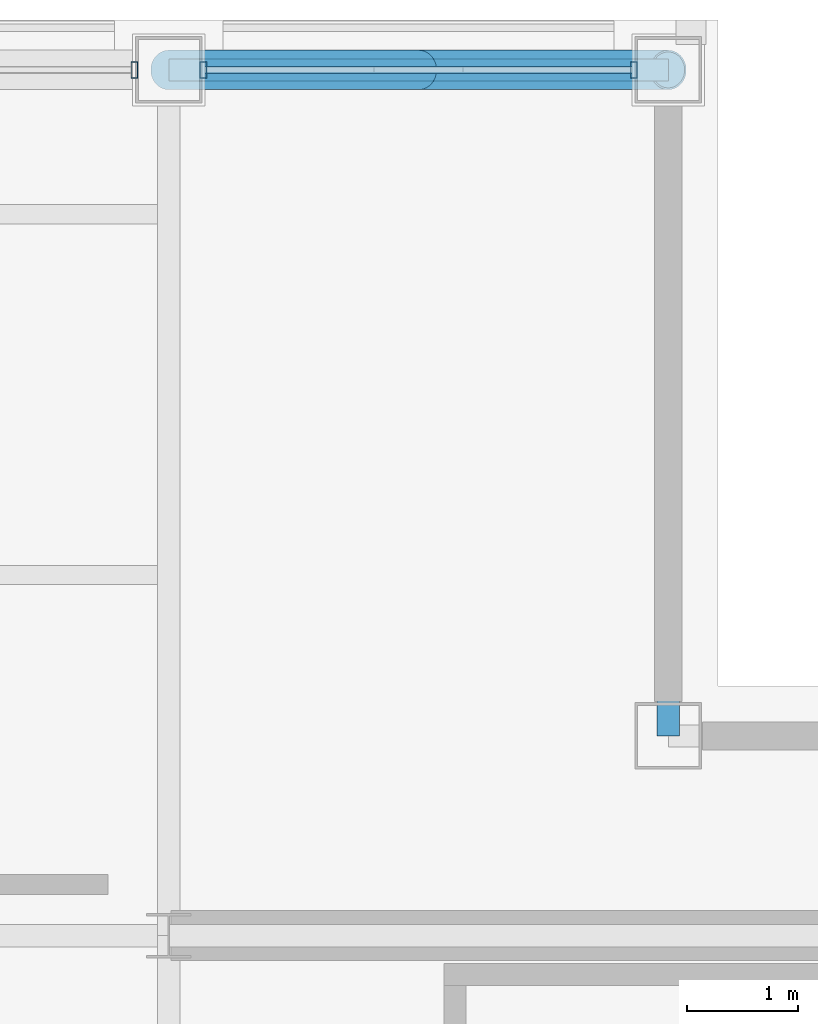
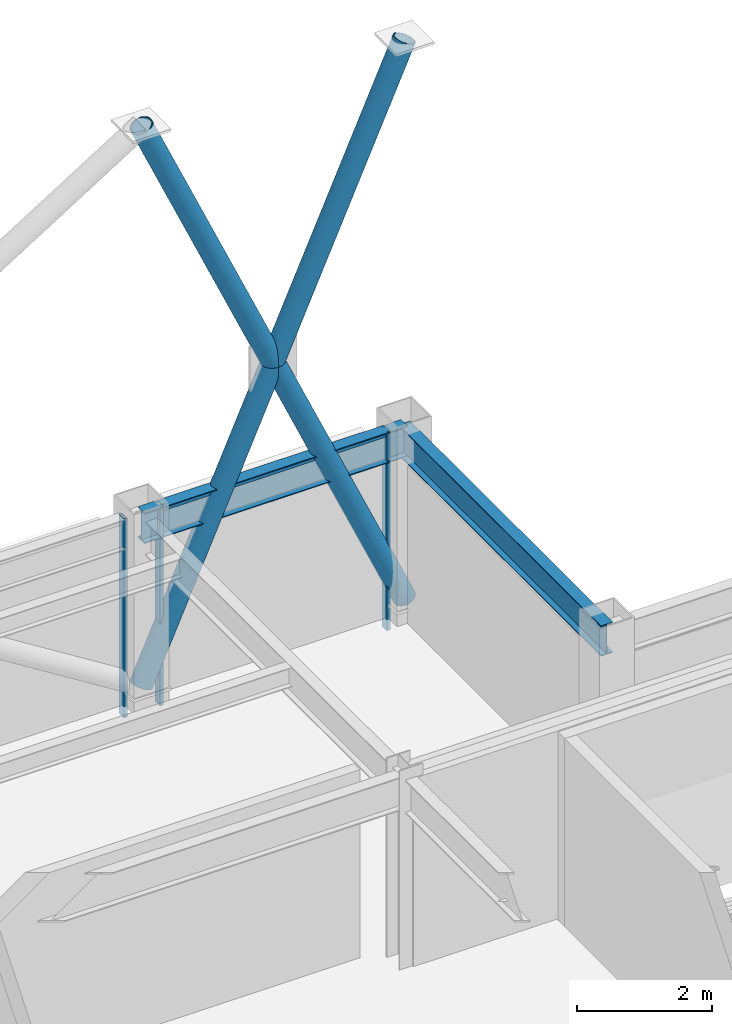
# One storey, part 20 of 27: 7 members, 2 beams, 2 elements without a shape of their own.
"""IFC4 building model written with IfcOpenShell, lengths in metres."""

from ifc_helpers import new_model, si_unit, direction, frame, origin, origin_2d, place, context, subcontext, project, spatial, hollow_rectangle, hollow_circle, i_section, extrude, material, layer, layer_set, material_profile, profile_set, type_object, element, aggregate, save


model = new_model("IFC4")

# Units and contexts
model_context = context("Model", 3, precision=1e-05, world=origin(), true_north=direction((0.0, 1.0)))
body_context = subcontext(model_context, "Body", "Model", "MODEL_VIEW")
ifc_project = project(units=[si_unit("LENGTHUNIT", "METRE"), si_unit("AREAUNIT", "SQUARE_METRE"), si_unit("VOLUMEUNIT", "CUBIC_METRE"), si_unit("PLANEANGLEUNIT", "RADIAN"), si_unit("MASSUNIT", "GRAM", prefix="KILO")], contexts=[model_context])

# Site, building, storey
site_placement = place(None, origin())
site = spatial("IfcSite", under=ifc_project, at=site_placement, CompositionType="ELEMENT")
building_placement = place(site_placement, origin())
building = spatial("IfcBuilding", under=site, at=building_placement, Name="Brelmoor Portico Tower", CompositionType="ELEMENT")
storey_placement = place(building_placement, frame((0.0, 0.0, 258.0)))
storey = spatial("IfcBuildingStorey", under=building, at=storey_placement, Name="L68", CompositionType="ELEMENT", Elevation=258.0)

# Beams
ifc_material_1 = material(Name="Steel Q355B", Category="steel")
ifc_material_profile_1 = material_profile(ifc_material_1, i_section(OverallWidth=0.199951171875, OverallDepth=0.550048828125, WebThickness=0.010009765625, FlangeThickness=0.01611328125, at=origin_2d()), Name="HN 550x200x10x16")
ifc_profile_set_1 = profile_set([ifc_material_profile_1], Name="Steel Q355B")
beam_type = type_object("IfcBeamType", Name="BM-SP-550", PredefinedType="SPANDREL", material=ifc_profile_set_1)
beam_1_placement = place(storey_placement, frame((8.050048828125, 17.550048828125, 3.125), z_axis=(1.0, 0.0, 0.0), x_axis=(0.0, 1.0, 0.0)))
element("IfcBeam", 1, at=beam_1_placement, inside=storey, type_object=beam_type, Name="L68 Perimeter Spandrel Beam SP-10", PredefinedType="SPANDREL", context=body_context, shape_type="SweptSolid", body=[
    extrude(i_section(OverallWidth=0.199951171875, OverallDepth=0.550048828125, WebThickness=0.010009765625, FlangeThickness=0.01611328125, at=origin_2d()), origin(), (0.0, 0.0, 1.0), 4.5),
])
beam_2_placement = place(storey_placement, frame((12.550048828125, 11.550048828125, 3.125), z_axis=(0.0, 1.0, 0.0), x_axis=(-1.0, 0.0, 0.0)))
element("IfcBeam", 2, at=beam_2_placement, inside=storey, type_object=beam_type, Name="L68 Perimeter Spandrel Beam SP-17", PredefinedType="SPANDREL", context=body_context, shape_type="SweptSolid", body=[
    extrude(i_section(OverallWidth=0.199951171875, OverallDepth=0.550048828125, WebThickness=0.010009765625, FlangeThickness=0.01611328125, at=origin_2d()), origin(), (0.0, 0.0, 1.0), 6.0),
])

# Members
ifc_material_profile_2 = material_profile(ifc_material_1, hollow_circle(Radius=0.177978515625, WallThickness=0.01611328125, at=origin_2d()), Name="CHS 356x16")
ifc_profile_set_2 = profile_set([ifc_material_profile_2], Name="Steel Q355B")
member_type_1 = type_object("IfcMemberType", Name="MB-BELT-DIAG2", PredefinedType="BRACE", material=ifc_profile_set_2)
member_1_placement = place(storey_placement, frame((8.050048828125, 17.550048828125, 0.25), z_axis=(0.406974140277, 0.0, 0.913439680081), x_axis=(0.0, 1.0, 0.0)))
element("IfcMember", 3, at=member_1_placement, inside=storey, type_object=member_type_1, Name="L68 Continuous Mega-X Brace 153A", PredefinedType="BRACE", context=body_context, shape_type="SweptSolid", body=[
    extrude(hollow_circle(Radius=0.177978515625, WallThickness=0.01611328125, at=origin_2d()), origin(), (0.0, 0.0, 1.0), 11.05712890625),
])
for number, where, z_axis, x_axis, name in (
    (4, (12.550048828125, 17.550048828125, 0.25), (-0.406974140277, 0.0, 0.913439680081), (0.0, -1.0, 0.0), "L68 Split Mega-X Brace 153B1"),
    (5, (10.300048828125, 17.550048828125, 5.300048828125), (-0.406974140277, 0.0, 0.913439680081), (0.0, -1.0, 0.0), "L68 Split Mega-X Brace 153B2"),
):
    element("IfcMember", number, at=place(storey_placement, frame(where, z_axis=z_axis, x_axis=x_axis)), inside=storey, type_object=member_type_1, Name=name, PredefinedType="BRACE", context=body_context, shape_type="SweptSolid", body=[
        extrude(hollow_circle(Radius=0.177978515625, WallThickness=0.01611328125, at=origin_2d()), origin(), (0.0, 0.0, 1.0), 5.528564453125),
    ])

# Curtain wall, member
ifc_material_2 = material(Name="Anodised Aluminium Alloy 6063-T6", Category="aluminium")
ifc_layer = layer(ifc_material_2, 0.179931640625)
ifc_layer_set = layer_set([ifc_layer], Name="Anodised Aluminium Alloy 6063-T6")
curtain_wall_type = type_object("IfcCurtainWallType", Name="CW-TOWER-Z4-XB", PredefinedType="NOTDEFINED", material=ifc_layer_set)
curtain_wall_1_placement = place(storey_placement, origin())
curtain_wall_1 = element("IfcCurtainWall", 6, at=curtain_wall_1_placement, inside=storey, type_object=curtain_wall_type, Name="L68 Curtain Wall CW-L68-02-2", PredefinedType="NOTDEFINED")
ifc_material_profile_3 = material_profile(ifc_material_2, hollow_rectangle(XDim=0.06005859375, YDim=0.14990234375, WallThickness=0.00390625, at=origin_2d()), Name="ALU MULLION 60x150")
ifc_profile_set_3 = profile_set([ifc_material_profile_3], Name="Anodised Aluminium Alloy 6063-T6")
member_type_2 = type_object("IfcMemberType", Name="MB-CW-MULL-150", PredefinedType="MULLION", material=ifc_profile_set_3)
member_2_placement = place(storey_placement, frame((7.739990234375, 17.550048828125, -0.199951171875), z_axis=(0.0, 0.0, 1.0), x_axis=(1.0, 0.0, 0.0)))
member_2 = element("IfcMember", 7, at=member_2_placement, type_object=member_type_2, Name="CW-L68-02-2 Mullion 01", PredefinedType="MULLION", context=body_context, shape_type="SweptSolid", body=[
    extrude(hollow_rectangle(XDim=0.06005859375, YDim=0.14990234375, WallThickness=0.00390625, at=origin_2d()), origin(), (0.0, 0.0, 1.0), 3.599853515625),
])
aggregate(curtain_wall_1, [member_2])

# Curtain wall, members
curtain_wall_2_placement = place(storey_placement, origin())
curtain_wall_2 = element("IfcCurtainWall", 8, at=curtain_wall_2_placement, inside=storey, type_object=curtain_wall_type, Name="L68 Curtain Wall CW-L68-02-3", PredefinedType="NOTDEFINED")
member_3_placement = place(storey_placement, frame((8.360107421875, 17.550048828125, -0.199951171875), z_axis=(0.0, 0.0, 1.0), x_axis=(1.0, 0.0, 0.0)))
member_3 = element("IfcMember", 9, at=member_3_placement, type_object=member_type_2, Name="CW-L68-02-3 Mullion 00", PredefinedType="MULLION", context=body_context, shape_type="SweptSolid", body=[
    extrude(hollow_rectangle(XDim=0.06005859375, YDim=0.14990234375, WallThickness=0.00390625, at=origin_2d()), origin(), (0.0, 0.0, 1.0), 3.599853515625),
])
member_4_placement = place(storey_placement, frame((12.239990234375, 17.550048828125, -0.199951171875), z_axis=(0.0, 0.0, 1.0), x_axis=(1.0, 0.0, 0.0)))
member_4 = element("IfcMember", 10, at=member_4_placement, type_object=member_type_2, Name="CW-L68-02-3 Mullion 01", PredefinedType="MULLION", context=body_context, shape_type="SweptSolid", body=[
    extrude(hollow_rectangle(XDim=0.06005859375, YDim=0.14990234375, WallThickness=0.00390625, at=origin_2d()), origin(), (0.0, 0.0, 1.0), 3.599853515625),
])
ifc_material_profile_4 = material_profile(ifc_material_2, hollow_rectangle(XDim=0.06005859375, YDim=0.125, WallThickness=0.00341796875, at=origin_2d()), Name="ALU TRANSOM 60x125")
ifc_profile_set_4 = profile_set([ifc_material_profile_4], Name="Anodised Aluminium Alloy 6063-T6")
member_type_3 = type_object("IfcMemberType", Name="MB-CW-TRAN-125", PredefinedType="USERDEFINED", material=ifc_profile_set_4)
member_5_placement = place(storey_placement, frame((8.360107421875, 17.550048828125, 3.33740234375), z_axis=(1.0, 0.0, 0.0), x_axis=(0.0, 1.0, 0.0)))
member_5 = element("IfcMember", 11, at=member_5_placement, type_object=member_type_3, Name="CW-L68-02-3 Transom 1-00", ObjectType="TRANSOM", PredefinedType="USERDEFINED", context=body_context, shape_type="SweptSolid", body=[
    extrude(hollow_rectangle(XDim=0.06005859375, YDim=0.125, WallThickness=0.00341796875, at=origin_2d()), origin(), (0.0, 0.0, 1.0), 3.8798828125),
])
aggregate(curtain_wall_2, [member_3, member_4, member_5])

save(model, "model.ifc")
